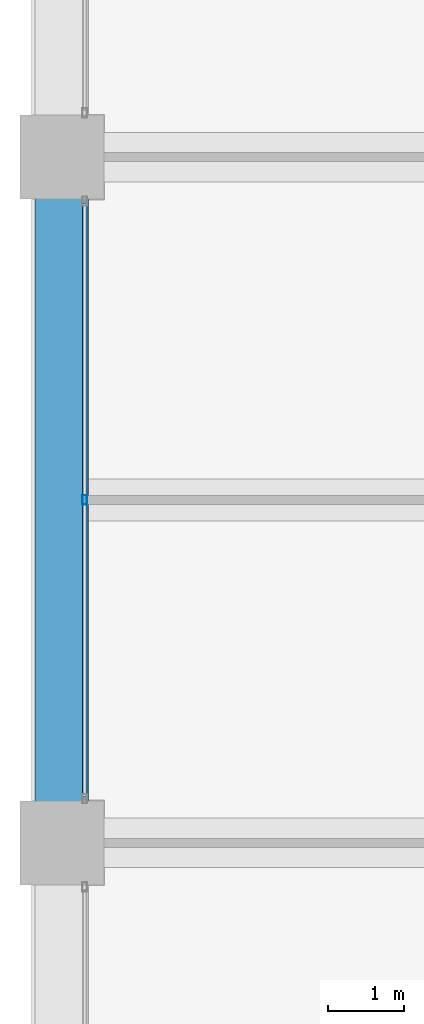
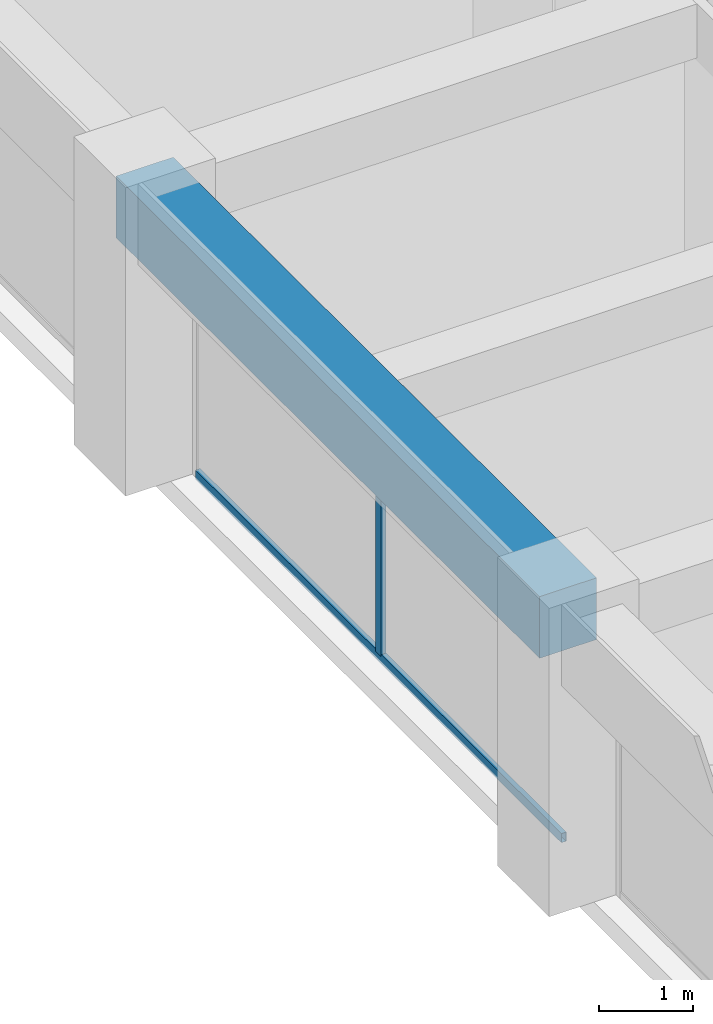
# One storey, part 14 of 44: 2 members, 1 beam, 1 element without a shape of its own.
"""IFC4 building model written with IfcOpenShell, lengths in metres."""

from ifc_helpers import new_model, si_unit, direction, frame, origin, origin_2d, place, context, subcontext, project, spatial, rectangle, hollow_rectangle, extrude, material, material_profile, profile_set, type_object, element, aggregate, save


model = new_model("IFC4")

# Units and contexts
model_context = context("Model", 3, precision=1e-05, world=origin(), true_north=direction((0.0, 1.0)))
body_context = subcontext(model_context, "Body", "Model", "MODEL_VIEW")
ifc_project = project(units=[si_unit("LENGTHUNIT", "METRE"), si_unit("AREAUNIT", "SQUARE_METRE"), si_unit("VOLUMEUNIT", "CUBIC_METRE"), si_unit("PLANEANGLEUNIT", "RADIAN"), si_unit("MASSUNIT", "GRAM", prefix="KILO")], contexts=[model_context])

# Site, building, storey
site_placement = place(None, origin())
site = spatial("IfcSite", under=ifc_project, at=site_placement, CompositionType="ELEMENT")
building_placement = place(site_placement, origin())
building = spatial("IfcBuilding", under=site, at=building_placement, Name="Zorevar Civic Tower", CompositionType="ELEMENT")
storey_placement = place(building_placement, frame((0.0, 0.0, 287.39990234375)))
storey = spatial("IfcBuildingStorey", under=building, at=storey_placement, Name="L70", CompositionType="ELEMENT", Elevation=287.39990234375)

# Curtain wall, members
ifc_material_1 = material(Name="Dark grey solar-control glass in black aluminium frame", Category="aluminium")
curtain_wall_type = type_object("IfcCurtainWallType", Name="Curtain wall CW5 top zone", PredefinedType="NOTDEFINED", material=ifc_material_1)
curtain_wall_placement = place(storey_placement, origin())
curtain_wall = element("IfcCurtainWall", 1, at=curtain_wall_placement, inside=storey, type_object=curtain_wall_type, Name="CW5 L70", PredefinedType="NOTDEFINED")
ifc_material_2 = material(Name="Aluminium, black anodised", Category="aluminium")
ifc_material_profile_1 = material_profile(ifc_material_2, hollow_rectangle(XDim=0.06005859375, YDim=0.1201171875, WallThickness=0.0029296875, at=origin_2d()), Name="AL 120x60x3")
ifc_profile_set_1 = profile_set([ifc_material_profile_1], Name="Aluminium, black anodised")
member_type_1 = type_object("IfcMemberType", Name="CW5 mullion AL 120x60x3", PredefinedType="MULLION", material=ifc_profile_set_1)
member_1_placement = place(storey_placement, frame((9.300048828125, 22.5, 0.06005859375), z_axis=(0.0, 0.0, 1.0), x_axis=(-1.0, 0.0, 0.0)))
member_1 = element("IfcMember", 2, at=member_1_placement, type_object=member_type_1, Name="CW5 mullion 2", PredefinedType="MULLION", context=body_context, shape_type="SweptSolid", body=[
    extrude(hollow_rectangle(XDim=0.06005859375, YDim=0.1201171875, WallThickness=0.0029296875, at=origin_2d()), origin(), (0.0, 0.0, 1.0), 2.89013671875),
])
ifc_material_3 = material(Name="Aluminium, black anodised", Category="aluminium")
ifc_material_profile_2 = material_profile(ifc_material_3, hollow_rectangle(XDim=0.06005859375, YDim=0.1201171875, WallThickness=0.0029296875, at=origin_2d()), Name="AL 120x60x3")
ifc_profile_set_2 = profile_set([ifc_material_profile_2], Name="Aluminium, black anodised")
member_type_2 = type_object("IfcMemberType", Name="CW5 transom AL 120x60x3", PredefinedType="USERDEFINED", material=ifc_profile_set_2)
member_2_placement = place(storey_placement, frame((9.300048828125, 18.610107421875, 0.030029296875), z_axis=(0.0, 1.0, 0.0), x_axis=(-1.0, 0.0, 0.0)))
member_2 = element("IfcMember", 3, at=member_2_placement, type_object=member_type_2, Name="CW5 sill transom", ObjectType="TRANSOM", PredefinedType="USERDEFINED", context=body_context, shape_type="SweptSolid", body=[
    extrude(hollow_rectangle(XDim=0.06005859375, YDim=0.1201171875, WallThickness=0.0029296875, at=origin_2d()), origin(), (0.0, 0.0, 1.0), 7.77978515625),
])
aggregate(curtain_wall, [member_1, member_2])

# Beam
ifc_material_4 = material(Name="Concrete C50/60", Category="concrete")
ifc_material_profile_3 = material_profile(ifc_material_4, rectangle(XDim=0.699951171875, YDim=0.800048828125, at=origin_2d()), Name="RC 700x800")
ifc_profile_set_3 = profile_set([ifc_material_profile_3], Name="Concrete C50/60")
beam_type = type_object("IfcBeamType", Name="Edge beam RC 700x800", PredefinedType="SPANDREL", material=ifc_profile_set_3)
beam_placement = place(storey_placement, frame((9.0, 18.0, 3.35009765625), z_axis=(0.0, 1.0, 0.0), x_axis=(-1.0, 0.0, 0.0)))
element("IfcBeam", 4, at=beam_placement, inside=storey, type_object=beam_type, Name="Edge beam L71", PredefinedType="SPANDREL", context=body_context, shape_type="SweptSolid", body=[
    extrude(rectangle(XDim=0.699951171875, YDim=0.800048828125, at=origin_2d()), origin(), (0.0, 0.0, 1.0), 9.0),
])

save(model, "model.ifc")
